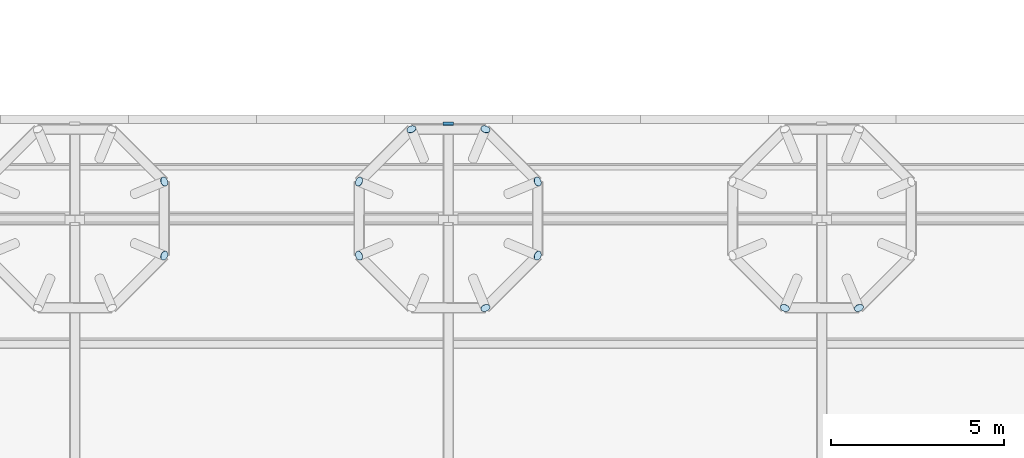
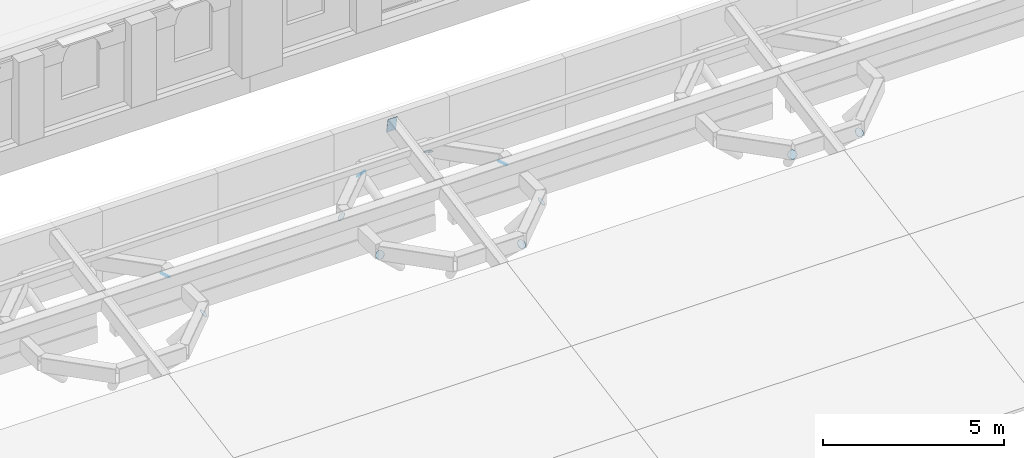
# One storey, part 19 of 32: 12 plates.
"""IFC4 building model written with IfcOpenShell, lengths in metres."""

from ifc_helpers import new_model, si_unit, direction, frame, origin, origin_2d, place, context, subcontext, project, spatial, rectangle, circle, extrude, material, material_profile, profile_set, type_object, element, save


model = new_model("IFC4")

# Units and contexts
model_context = context("Model", 3, precision=1e-05, world=origin(), true_north=direction((0.0, 1.0)))
body_context = subcontext(model_context, "Body", "Model", "MODEL_VIEW")
ifc_project = project(units=[si_unit("LENGTHUNIT", "METRE"), si_unit("AREAUNIT", "SQUARE_METRE"), si_unit("VOLUMEUNIT", "CUBIC_METRE"), si_unit("PLANEANGLEUNIT", "RADIAN"), si_unit("MASSUNIT", "GRAM", prefix="KILO")], contexts=[model_context])

# Site, building, storey
site_placement = place(None, origin())
site = spatial("IfcSite", under=ifc_project, at=site_placement, CompositionType="ELEMENT")
building_placement = place(site_placement, origin())
building = spatial("IfcBuilding", under=site, at=building_placement, Name="Magnolia Steps Interchange", CompositionType="ELEMENT")
storey_placement = place(building_placement, frame((0.0, 0.0, 16.5)))
storey = spatial("IfcBuildingStorey", under=building, at=storey_placement, Name="L04", CompositionType="ELEMENT", Elevation=16.5)

# Plates
ifc_material_1 = material(Name="Steel Q355B", Category="steel")
ifc_material_profile_1 = material_profile(ifc_material_1, circle(Radius=0.136474609375, at=origin_2d()), Name="End plate CHS273x14")
ifc_profile_set_1 = profile_set([ifc_material_profile_1], Name="Steel Q355B")
plate_type_1 = type_object("IfcPlateType", Name="End plate CHS273x14", PredefinedType="SHEET", material=ifc_profile_set_1)
for number, where, z_axis, x_axis, name in (
    (1, (77.3798828125, 86.668701171875, 1.401123046875), (0.664583318381, 0.275279424158, 0.694658370398), (-0.382683432789, 0.923879532336, 0.0), "End plate Tree rib"),
    (2, (77.3798828125, 84.53125, 1.401123046875), (0.664583318381, -0.275279424158, 0.694658370398), (0.382683432789, 0.923879532336, 0.0), "End plate Tree rib"),
    (3, (88.179931640625, 86.668701171875, 1.401123046875), (0.664583318381, 0.275279424158, 0.694658370398), (-0.382683432789, 0.923879532336, 0.0), "End plate Tree rib"),
    (4, (86.668701171875, 88.179931640625, 1.401123046875), (0.275279424158, 0.664583318381, 0.694658370398), (-0.923879532336, 0.382683432789, 0.0), "End plate Tree rib"),
    (5, (84.53125, 88.179931640625, 1.401123046875), (-0.275279424158, 0.664583318381, 0.694658370398), (-0.923879532336, -0.382683432789, 0.0), "End plate Tree rib"),
    (6, (83.02001953125, 86.668701171875, 1.401123046875), (-0.664583318381, 0.275279424158, 0.694658370398), (-0.382683432789, -0.923879532336, 0.0), "End plate Tree rib"),
    (7, (83.02001953125, 84.53125, 1.401123046875), (-0.664583318381, -0.275279424158, 0.694658370398), (0.382683432789, -0.923879532336, 0.0), "End plate Tree rib"),
    (8, (86.668701171875, 83.02001953125, 1.401123046875), (0.275279424158, -0.664583318381, 0.694658370398), (0.923879532336, 0.382683432789, 0.0), "End plate Tree rib"),
    (9, (88.179931640625, 84.53125, 1.401123046875), (0.664583318381, -0.275279424158, 0.694658370398), (0.382683432789, 0.923879532336, 0.0), "End plate Tree rib"),
    (10, (95.331298828125, 83.02001953125, 1.401123046875), (-0.275279424158, -0.664583318381, 0.694658370398), (0.923879532336, -0.382683432789, 0.0), "End plate Tree rib"),
    (11, (97.46875, 83.02001953125, 1.401123046875), (0.275279424158, -0.664583318381, 0.694658370398), (0.923879532336, 0.382683432789, 0.0), "End plate Tree rib"),
):
    element("IfcPlate", number, at=place(storey_placement, frame(where, z_axis=z_axis, x_axis=x_axis)), inside=storey, type_object=plate_type_1, Name=name, PredefinedType="SHEET", context=body_context, shape_type="SweptSolid", body=[
        extrude(circle(Radius=0.136474609375, at=origin_2d()), origin(), (0.0, 0.0, 1.0), 0.008056640625),
    ])
ifc_material_2 = material(Name="Steel Q355B", Category="steel")
ifc_material_profile_2 = material_profile(ifc_material_2, rectangle(XDim=0.300048828125, YDim=0.5, at=origin_2d()), Name="End plate RHS500x300x16")
ifc_profile_set_2 = profile_set([ifc_material_profile_2], Name="Steel Q355B")
plate_type_2 = type_object("IfcPlateType", Name="End plate RHS500x300x16", PredefinedType="SHEET", material=ifc_profile_set_2)
plate_placement = place(storey_placement, frame((85.60009765625, 88.340087890625, 2.5966796875), z_axis=(0.0, 0.983682817222, 0.179911409041), x_axis=(-1.0, 0.0, 0.0)))
element("IfcPlate", 12, at=plate_placement, inside=storey, type_object=plate_type_2, Name="End plate Roof beam", PredefinedType="SHEET", context=body_context, shape_type="SweptSolid", body=[
    extrude(rectangle(XDim=0.300048828125, YDim=0.5, at=origin_2d()), origin(), (0.0, 0.0, 1.0), 0.008056640625),
])

save(model, "model.ifc")
